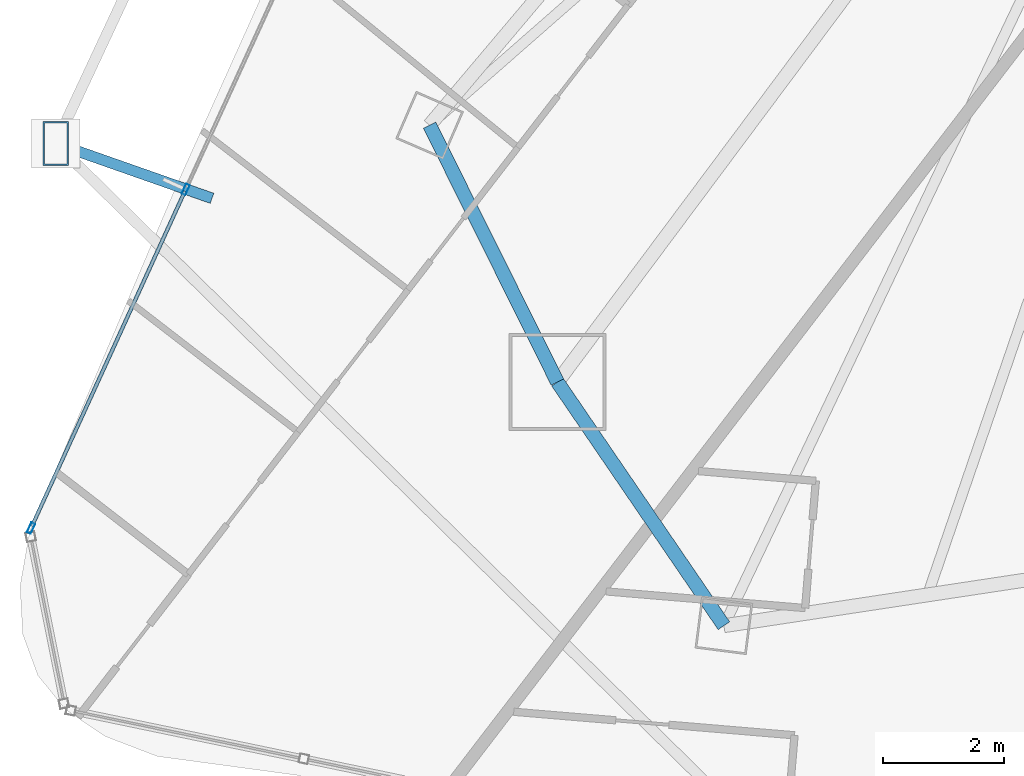
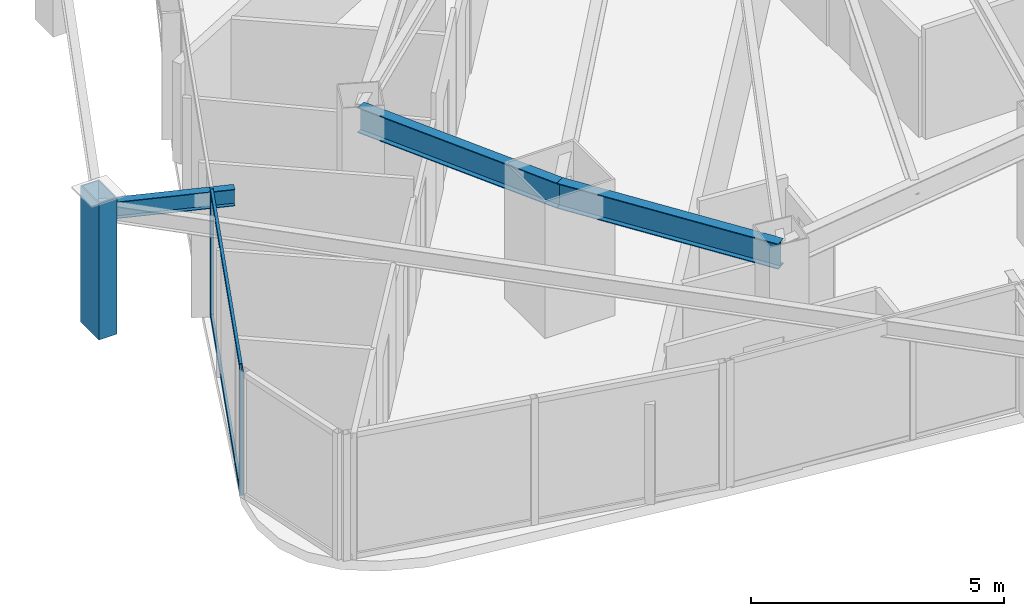
# One storey, part 5 of 34: 5 members, 3 beams, 1 element without a shape of its own.
"""IFC4 building model written with IfcOpenShell, lengths in metres."""

from ifc_helpers import new_model, si_unit, direction, frame, origin, origin_2d, place, context, subcontext, project, spatial, hollow_rectangle, i_section, extrude, material, layer, layer_set, material_profile, profile_set, type_object, element, aggregate, save


model = new_model("IFC4")

# Units and contexts
model_context = context("Model", 3, precision=1e-05, world=origin(), true_north=direction((0.0, 1.0)))
body_context = subcontext(model_context, "Body", "Model", "MODEL_VIEW")
ifc_project = project(units=[si_unit("LENGTHUNIT", "METRE"), si_unit("AREAUNIT", "SQUARE_METRE"), si_unit("VOLUMEUNIT", "CUBIC_METRE"), si_unit("PLANEANGLEUNIT", "RADIAN"), si_unit("MASSUNIT", "GRAM", prefix="KILO")], contexts=[model_context])

# Site, building, storey
site_placement = place(None, origin())
site = spatial("IfcSite", under=ifc_project, at=site_placement, CompositionType="ELEMENT")
building_placement = place(site_placement, origin())
building = spatial("IfcBuilding", under=site, at=building_placement, Name="Orvanel Arch Residences", CompositionType="ELEMENT")
storey_placement = place(building_placement, frame((0.0, 0.0, 80.75)))
storey = spatial("IfcBuildingStorey", under=building, at=storey_placement, Name="L22", CompositionType="ELEMENT", Elevation=80.75)

# Member
ifc_material_1 = material(Name="Structural steel AS/NZS 3678 Grade 350", Category="steel")
ifc_material_profile_1 = material_profile(ifc_material_1, hollow_rectangle(XDim=0.419921875, YDim=0.719970703125, WallThickness=0.02490234375, at=origin_2d()), Name="RHS720x420x25")
ifc_profile_set_1 = profile_set([ifc_material_profile_1], Name="Structural steel AS/NZS 3678 Grade 350")
member_type_1 = type_object("IfcMemberType", Name="CH-720RHS-EXT", PredefinedType="CHORD", material=ifc_profile_set_1)
member_1_placement = place(storey_placement, frame((5.93896484375, 14.279052734375, 0.0), z_axis=(0.0, 0.0, 1.0), x_axis=(1.0, 0.0, 0.0)))
element("IfcMember", 1, at=member_1_placement, inside=storey, type_object=member_type_1, Name="L22 Outer Perimeter Frame Post 04", PredefinedType="CHORD", context=body_context, shape_type="SweptSolid", body=[
    extrude(hollow_rectangle(XDim=0.419921875, YDim=0.719970703125, WallThickness=0.02490234375, at=origin_2d()), origin(), (0.0, 0.0, 1.0), 3.300048828125),
])

# Curtain wall, members
ifc_material_2 = material(Name="Bronze-anodised aluminium AA6063-T6", Category="aluminium")
ifc_layer = layer(ifc_material_2, 0.179931640625)
ifc_layer_set = layer_set([ifc_layer], Name="Bronze-anodised aluminium AA6063-T6")
curtain_wall_type = type_object("IfcCurtainWallType", Name="CW2-LOW-SYS", PredefinedType="NOTDEFINED", material=ifc_layer_set)
curtain_wall_placement = place(storey_placement, origin())
curtain_wall = element("IfcCurtainWall", 2, at=curtain_wall_placement, inside=storey, type_object=curtain_wall_type, Name="L22 CW2-LOW-SYS Unitised Curtain Wall", PredefinedType="NOTDEFINED")
ifc_material_profile_2 = material_profile(ifc_material_2, hollow_rectangle(XDim=0.070068359375, YDim=0.179931640625, WallThickness=0.00439453125, at=origin_2d()), Name="ALU180x70x4.5")
ifc_profile_set_2 = profile_set([ifc_material_profile_2], Name="Bronze-anodised aluminium AA6063-T6")
member_type_2 = type_object("IfcMemberType", Name="MUL-180x70", PredefinedType="MULLION", material=ifc_profile_set_2)
member_2_placement = place(storey_placement, frame((8.079345703125, 13.52197265625, 0.0), z_axis=(0.0, 0.0, 1.0), x_axis=(0.909616944848, -0.415447967434, 0.0)))
member_2 = element("IfcMember", 3, at=member_2_placement, type_object=member_type_2, Name="CW-S2 mullion 3", PredefinedType="MULLION", context=body_context, shape_type="SweptSolid", body=[
    extrude(hollow_rectangle(XDim=0.070068359375, YDim=0.179931640625, WallThickness=0.00439453125, at=origin_2d()), origin(), (0.0, 0.0, 1.0), 3.06005859375),
])
member_3_placement = place(storey_placement, frame((5.532470703125, 7.94580078125, 0.0), z_axis=(0.0, 0.0, 1.0), x_axis=(0.909616944848, -0.415447967434, 0.0)))
member_3 = element("IfcMember", 4, at=member_3_placement, type_object=member_type_2, Name="CW-S2 mullion 4", PredefinedType="MULLION", context=body_context, shape_type="SweptSolid", body=[
    extrude(hollow_rectangle(XDim=0.070068359375, YDim=0.179931640625, WallThickness=0.00439453125, at=origin_2d()), origin(), (0.0, 0.0, 1.0), 3.06005859375),
])

# Beams
ifc_material_3 = material(Name="Structural steel AS/NZS 3679.1 Grade 300 (300 MPa)", Category="steel")
ifc_material_profile_3 = material_profile(ifc_material_3, i_section(OverallWidth=0.177978515625, OverallDepth=0.406005859375, WebThickness=0.0078125, FlangeThickness=0.0126953125, at=origin_2d()), Name="410UB59.7")
ifc_profile_set_3 = profile_set([ifc_material_profile_3], Name="Structural steel AS/NZS 3679.1 Grade 300 (300 MPa)")
beam_type_1 = type_object("IfcBeamType", Name="OB-410UB-EXT", PredefinedType="SPANDREL", material=ifc_profile_set_3)
beam_1_placement = place(storey_placement, frame((8.512939453125, 13.3759765625, 2.85693359375), z_axis=(-0.943608321191, 0.331063945754, 0.0), x_axis=(-0.331063945754, -0.943608321191, 0.0)))
element("IfcBeam", 5, at=beam_1_placement, inside=storey, type_object=beam_type_1, Name="L22 Outer Frame Radial Tie Beam 04", PredefinedType="SPANDREL", context=body_context, shape_type="SweptSolid", body=[
    extrude(i_section(OverallWidth=0.177978515625, OverallDepth=0.406005859375, WebThickness=0.0078125, FlangeThickness=0.0126953125, at=origin_2d()), origin(), (0.0, 0.0, 1.0), 2.727783203125),
])
ifc_material_profile_4 = material_profile(ifc_material_3, i_section(OverallWidth=0.22900390625, OverallDepth=0.612060546875, WebThickness=0.011962890625, FlangeThickness=0.01953125, at=origin_2d()), Name="610UB125")
ifc_profile_set_4 = profile_set([ifc_material_profile_4], Name="Structural steel AS/NZS 3679.1 Grade 300 (300 MPa)")
beam_type_2 = type_object("IfcBeamType", Name="SP-610UB", PredefinedType="SPANDREL", material=ifc_profile_set_4)
beam_2_placement = place(storey_placement, frame((12.094970703125, 14.580078125, 2.75390625), z_axis=(0.44543469453, -0.895314432425, 0.0), x_axis=(0.895314432425, 0.44543469453, 0.0)))
element("IfcBeam", 6, at=beam_2_placement, inside=storey, type_object=beam_type_2, Name="L22 Perimeter Spandrel Beam 02", PredefinedType="SPANDREL", context=body_context, shape_type="SweptSolid", body=[
    extrude(i_section(OverallWidth=0.22900390625, OverallDepth=0.612060546875, WebThickness=0.011962890625, FlangeThickness=0.01953125, at=origin_2d()), origin(), (0.0, 0.0, 1.0), 4.723388671875),
])
beam_3_placement = place(storey_placement, frame((14.198974609375, 10.35107421875, 2.75390625), z_axis=(0.564251579852, -0.825602903722, 0.0), x_axis=(0.825602903722, 0.564251579852, 0.0)))
element("IfcBeam", 7, at=beam_3_placement, inside=storey, type_object=beam_type_2, Name="L22 Perimeter Spandrel Beam 03", PredefinedType="SPANDREL", context=body_context, shape_type="SweptSolid", body=[
    extrude(i_section(OverallWidth=0.22900390625, OverallDepth=0.612060546875, WebThickness=0.011962890625, FlangeThickness=0.01953125, at=origin_2d()), origin(), (0.0, 0.0, 1.0), 4.859375),
])

# Member
ifc_material_profile_5 = material_profile(ifc_material_2, hollow_rectangle(XDim=0.06005859375, YDim=0.135009765625, WallThickness=0.00390625, at=origin_2d()), Name="ALU135x60x4")
ifc_profile_set_5 = profile_set([ifc_material_profile_5], Name="Bronze-anodised aluminium AA6063-T6")
member_type_3 = type_object("IfcMemberType", Name="TRN-135x60", PredefinedType="USERDEFINED", material=ifc_profile_set_5)
member_4_placement = place(storey_placement, frame((8.064697265625, 13.490234375, 0.030029296875), z_axis=(-0.415432220191, -0.909624136898, 0.0), x_axis=(0.909624136898, -0.415432220191, 0.0)))
member_4 = element("IfcMember", 8, at=member_4_placement, type_object=member_type_3, Name="CW-S2 transom 3.1", ObjectType="TRANSOM", PredefinedType="USERDEFINED", context=body_context, shape_type="SweptSolid", body=[
    extrude(hollow_rectangle(XDim=0.06005859375, YDim=0.135009765625, WallThickness=0.00390625, at=origin_2d()), origin(), (0.0, 0.0, 1.0), 6.06005859375),
])

member_5_placement = place(storey_placement, frame((8.064697265625, 13.490234375, 3.030029296875), z_axis=(-0.415432220191, -0.909624136898, 0.0), x_axis=(0.909624136898, -0.415432220191, 0.0)))
member_5 = element("IfcMember", 9, at=member_5_placement, type_object=member_type_3, Name="CW-S2 transom 3.2", ObjectType="TRANSOM", PredefinedType="USERDEFINED", context=body_context, shape_type="SweptSolid", body=[
    extrude(hollow_rectangle(XDim=0.06005859375, YDim=0.135009765625, WallThickness=0.00390625, at=origin_2d()), origin(), (0.0, 0.0, 1.0), 6.06005859375),
])

aggregate(curtain_wall, [member_2, member_3, member_4, member_5])

save(model, "model.ifc")
